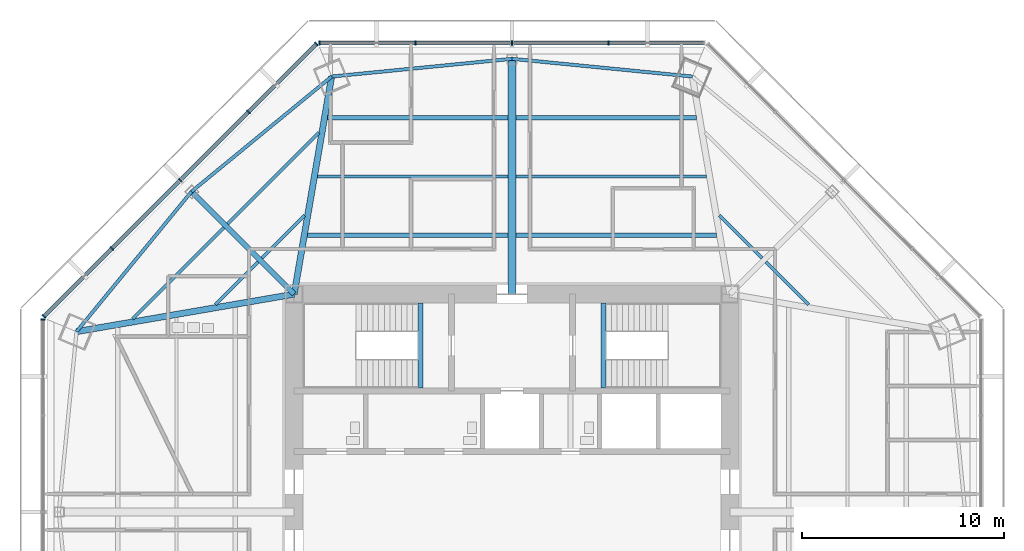
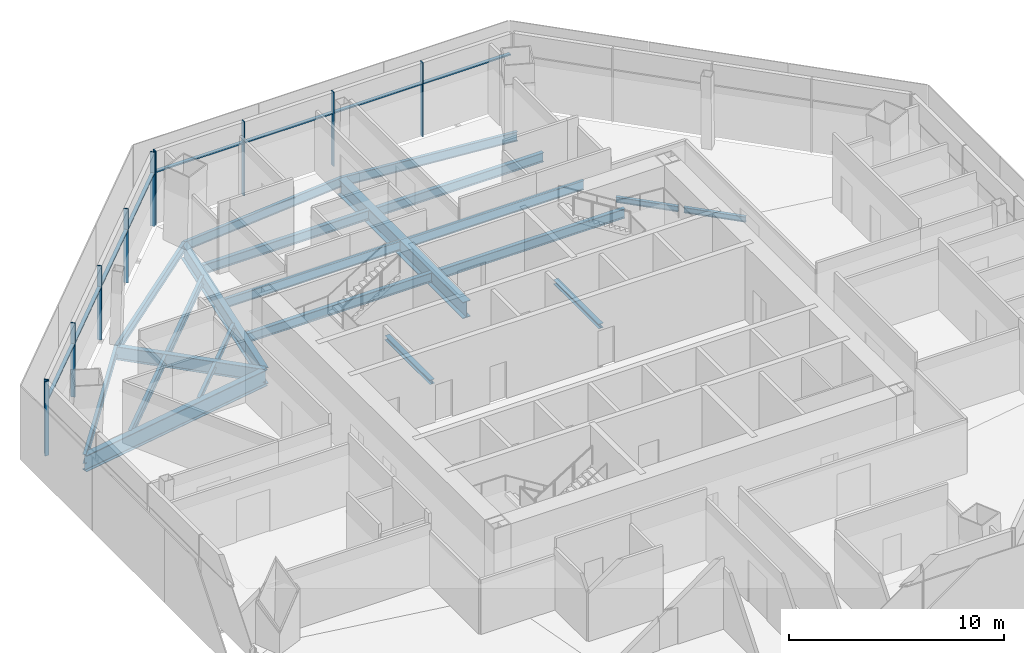
# One storey, part 5 of 15: 22 beams, 18 members, 3 elements without a shape of their own.
"""IFC4 building model written with IfcOpenShell, lengths in metres."""

from ifc_helpers import new_model, si_unit, direction, frame, origin, origin_2d, place, context, subcontext, project, spatial, rectangle, i_section, extrude, source, transform, mapped, material, material_profile, profile_set, type_object, type_shapes, element, aggregate, save


model = new_model("IFC4")

# Units and contexts
model_context = context("Model", 3, precision=1e-05, world=origin(), true_north=direction((0.0, 1.0)))
body_context = subcontext(model_context, "Body", "Model", "MODEL_VIEW")
ifc_project = project(units=[si_unit("LENGTHUNIT", "METRE"), si_unit("AREAUNIT", "SQUARE_METRE"), si_unit("VOLUMEUNIT", "CUBIC_METRE"), si_unit("PLANEANGLEUNIT", "RADIAN"), si_unit("MASSUNIT", "GRAM", prefix="KILO")], contexts=[model_context])

# Site, building, storey
site_placement = place(None, origin())
site = spatial("IfcSite", under=ifc_project, at=site_placement, CompositionType="ELEMENT")
building_placement = place(site_placement, origin())
building = spatial("IfcBuilding", under=site, at=building_placement, Name="Mashrafa Tower", CompositionType="ELEMENT")
storey_placement = place(building_placement, frame((0.0, 0.0, 168.0)))
storey = spatial("IfcBuildingStorey", under=building, at=storey_placement, Name="L38", CompositionType="ELEMENT", Elevation=168.0)

# Beams
ifc_material_1 = material(Name="Steel ASTM A992", Category="steel")
ifc_material_profile_1 = material_profile(ifc_material_1, i_section(OverallWidth=0.164794921875, OverallDepth=0.309814453125, WebThickness=0.005859375, FlangeThickness=0.009765625, FilletRadius=0.007568359375, at=origin_2d()), Name="W12X26")
ifc_profile_set_1 = profile_set([ifc_material_profile_1], Name="Steel ASTM A992")
beam_type_1 = type_object("IfcBeamType", Name="Beam W12X26", PredefinedType="BEAM", material=ifc_profile_set_1)
for number, where, z_axis, x_axis, name in (
    (1, (-14.7080078125, 10.283203125, -0.31982421875), (0.707147533097, 0.707066026927, 0.0), (-0.707066026927, 0.707147533097, 0.0), "Floor beam L38 006"),
    (2, (-12.401123046875, 12.58984375, -0.31982421875), (0.707066026927, 0.707147533097, 0.0), (-0.707147533097, 0.707066026927, 0.0), "Floor beam L38 012"),
    (3, (10.283203125, 14.7080078125, -0.31982421875), (0.707066026927, -0.707147533097, 0.0), (0.707147533097, 0.707066026927, 0.0), "Floor beam L38 027"),
    (4, (12.58984375, 12.401123046875, -0.31982421875), (0.707147533097, -0.707066026927, 0.0), (0.707066026927, 0.707147533097, 0.0), "Floor beam L38 030"),
):
    element("IfcBeam", number, at=place(storey_placement, frame(where, z_axis=z_axis, x_axis=x_axis)), inside=storey, type_object=beam_type_1, Name=name, PredefinedType="BEAM", context=body_context, shape_type="SweptSolid", body=[
        extrude(i_section(OverallWidth=0.164794921875, OverallDepth=0.309814453125, WebThickness=0.005859375, FlangeThickness=0.009765625, FilletRadius=0.007568359375, at=origin_2d()), origin(), (0.0, 0.0, 1.0), 2.995361328125),
    ])
ifc_material_2 = material(Name="Steel ASTM A992", Category="steel")
ifc_material_profile_2 = material_profile(ifc_material_2, i_section(OverallWidth=0.1650390625, OverallDepth=0.52587890625, WebThickness=0.0087890625, FlangeThickness=0.011474609375, FilletRadius=0.0126953125, at=origin_2d()), Name="W21X44")
ifc_profile_set_2 = profile_set([ifc_material_profile_2], Name="Steel ASTM A992")
beam_type_2 = type_object("IfcBeamType", Name="Beam W21X44", PredefinedType="BEAM", material=ifc_profile_set_2)
for number, where, z_axis, x_axis, name in (
    (5, (-18.80419921875, 9.57763671875, -0.427978515625), (0.707087679743, 0.707125882114, 0.0), (-0.707125882114, 0.707087679743, 0.0), "Floor beam L38 003"),
    (6, (-14.0966796875, 14.285400390625, -0.427978515625), (0.707125882114, 0.707087679743, 0.0), (-0.707087679743, 0.707125882114, 0.0), "Floor beam L38 008"),
):
    element("IfcBeam", number, at=place(storey_placement, frame(where, z_axis=z_axis, x_axis=x_axis)), inside=storey, type_object=beam_type_2, Name=name, PredefinedType="BEAM", context=body_context, shape_type="SweptSolid", body=[
        extrude(i_section(OverallWidth=0.1650390625, OverallDepth=0.52587890625, WebThickness=0.0087890625, FlangeThickness=0.011474609375, FilletRadius=0.0126953125, at=origin_2d()), origin(), (0.0, 0.0, 1.0), 6.390625),
    ])
for number, where, z_axis, x_axis, name in (
    (7, (-9.6396484375, 16.63330078125, -0.427978515625), (1.0, 0.0, 0.0), (0.0, 1.0, 0.0), "Floor beam L38 015"),
    (8, (0.20947265625, 16.63330078125, -0.427978515625), (1.0, 0.0, 0.0), (0.0, 1.0, 0.0), "Floor beam L38 022"),
):
    element("IfcBeam", number, at=place(storey_placement, frame(where, z_axis=z_axis, x_axis=x_axis)), inside=storey, type_object=beam_type_2, Name=name, PredefinedType="BEAM", context=body_context, shape_type="SweptSolid", body=[
        extrude(i_section(OverallWidth=0.1650390625, OverallDepth=0.52587890625, WebThickness=0.0087890625, FlangeThickness=0.011474609375, FilletRadius=0.0126953125, at=origin_2d()), origin(), (0.0, 0.0, 1.0), 9.43017578125),
    ])
for number, where, z_axis, x_axis, name in (
    (9, (-15.886474609375, 15.886474609375, -0.427978515625), (-0.634611360112, -0.772831431566, 0.0), (0.772831431566, -0.634611360112, 0.0), "Spandrel beam L38 061"),
    (10, (-8.9423828125, 21.588623046875, -0.427978515625), (-0.772831431566, -0.634611360112, 0.0), (0.634611360112, -0.772831431566, 0.0), "Spandrel beam L38 063"),
    (11, (0.0, 22.466796875, -0.427978515625), (-0.995212629528, -0.097733423294, 0.0), (0.097733423294, -0.995212629528, 0.0), "Spandrel beam L38 065"),
    (12, (8.9423828125, 21.588623046875, -0.427978515625), (-0.995212629528, 0.097733423294, 0.0), (-0.097733423294, -0.995212629528, 0.0), "Spandrel beam L38 067"),
):
    element("IfcBeam", number, at=place(storey_placement, frame(where, z_axis=z_axis, x_axis=x_axis)), inside=storey, type_object=beam_type_2, Name=name, PredefinedType="BEAM", context=body_context, shape_type="SweptSolid", body=[
        extrude(i_section(OverallWidth=0.1650390625, OverallDepth=0.52587890625, WebThickness=0.0087890625, FlangeThickness=0.011474609375, FilletRadius=0.0126953125, at=origin_2d()), origin(), (0.0, 0.0, 1.0), 8.9853515625),
    ])
ifc_material_3 = material(Name="Steel ASTM A992", Category="steel")
ifc_material_profile_3 = material_profile(ifc_material_3, i_section(OverallWidth=0.209228515625, OverallDepth=0.533447265625, WebThickness=0.01025390625, FlangeThickness=0.015625, FilletRadius=0.012939453125, at=origin_2d()), Name="W21X62")
ifc_profile_set_3 = profile_set([ifc_material_profile_3], Name="Steel ASTM A992")
beam_type_3 = type_object("IfcBeamType", Name="Beam W21X62", PredefinedType="BEAM", material=ifc_profile_set_3)
beam_1_placement = place(storey_placement, frame((-10.141845703125, 13.716796875, -0.431640625), z_axis=(1.0, 0.0, 0.0), x_axis=(0.0, 1.0, 0.0)))
element("IfcBeam", 13, at=beam_1_placement, inside=storey, type_object=beam_type_3, Name="Floor beam L38 013", PredefinedType="BEAM", context=body_context, shape_type="SweptSolid", body=[
    extrude(i_section(OverallWidth=0.209228515625, OverallDepth=0.533447265625, WebThickness=0.01025390625, FlangeThickness=0.015625, FilletRadius=0.012939453125, at=origin_2d()), origin(), (0.0, 0.0, 1.0), 9.932373046875),
])
beam_2_placement = place(storey_placement, frame((-9.137451171875, 19.55029296875, -0.431640625), z_axis=(1.0, 0.0, 0.0), x_axis=(0.0, 1.0, 0.0)))
element("IfcBeam", 14, at=beam_2_placement, inside=storey, type_object=beam_type_3, Name="Floor beam L38 017", PredefinedType="BEAM", context=body_context, shape_type="SweptSolid", body=[
    extrude(i_section(OverallWidth=0.209228515625, OverallDepth=0.533447265625, WebThickness=0.01025390625, FlangeThickness=0.015625, FilletRadius=0.012939453125, at=origin_2d()), origin(), (0.0, 0.0, 1.0), 8.927978515625),
])
beam_3_placement = place(storey_placement, frame((0.20947265625, 13.716796875, -0.431640625), z_axis=(1.0, 0.0, 0.0), x_axis=(0.0, 1.0, 0.0)))
element("IfcBeam", 15, at=beam_3_placement, inside=storey, type_object=beam_type_3, Name="Floor beam L38 021", PredefinedType="BEAM", context=body_context, shape_type="SweptSolid", body=[
    extrude(i_section(OverallWidth=0.209228515625, OverallDepth=0.533447265625, WebThickness=0.01025390625, FlangeThickness=0.015625, FilletRadius=0.012939453125, at=origin_2d()), origin(), (0.0, 0.0, 1.0), 9.932373046875),
])
beam_4_placement = place(storey_placement, frame((0.20947265625, 19.55029296875, -0.431640625), z_axis=(1.0, 0.0, 0.0), x_axis=(0.0, 1.0, 0.0)))
element("IfcBeam", 16, at=beam_4_placement, inside=storey, type_object=beam_type_3, Name="Floor beam L38 023", PredefinedType="BEAM", context=body_context, shape_type="SweptSolid", body=[
    extrude(i_section(OverallWidth=0.209228515625, OverallDepth=0.533447265625, WebThickness=0.01025390625, FlangeThickness=0.015625, FilletRadius=0.012939453125, at=origin_2d()), origin(), (0.0, 0.0, 1.0), 8.927978515625),
])
ifc_material_4 = material(Name="Steel ASTM A992", Category="steel")
ifc_material_profile_4 = material_profile(ifc_material_4, i_section(OverallWidth=0.2666015625, OverallDepth=0.75439453125, WebThickness=0.01318359375, FlangeThickness=0.01708984375, FilletRadius=0.0166015625, at=origin_2d()), Name="W30X99")
ifc_profile_set_4 = profile_set([ifc_material_profile_4], Name="Steel ASTM A992")
beam_type_4 = type_object("IfcBeamType", Name="Beam W30X99", PredefinedType="BEAM", material=ifc_profile_set_4)
beam_5_placement = place(storey_placement, frame((-10.800048828125, 10.800048828125, -0.542236328125), z_axis=(-0.707106781187, 0.707106781187, 0.0), x_axis=(-0.707106781187, -0.707106781187, 0.0)))
element("IfcBeam", 17, at=beam_5_placement, inside=storey, type_object=beam_type_4, Name="Radial girder L38 046", PredefinedType="BEAM", context=body_context, shape_type="SweptSolid", body=[
    extrude(i_section(OverallWidth=0.2666015625, OverallDepth=0.75439453125, WebThickness=0.01318359375, FlangeThickness=0.01708984375, FilletRadius=0.0166015625, at=origin_2d()), origin(), (0.0, 0.0, 1.0), 7.193359375),
])
ifc_material_5 = material(Name="Steel ASTM A992", Category="steel")
ifc_material_profile_5 = material_profile(ifc_material_5, i_section(OverallWidth=0.307373046875, OverallDepth=0.927001953125, WebThickness=0.01953125, FlangeThickness=0.031982421875, FilletRadius=0.01904296875, at=origin_2d()), Name="W36X194")
ifc_profile_set_5 = profile_set([ifc_material_profile_5], Name="Steel ASTM A992")
beam_type_5 = type_object("IfcBeamType", Name="Beam W36X194", PredefinedType="BEAM", material=ifc_profile_set_5)
for number, where, z_axis, x_axis, name in (
    (18, (-10.800048828125, 10.800048828125, -0.628662109375), (-0.985497303971, -0.169691083637, 0.0), (0.169691083637, -0.985497303971, 0.0), "Radial girder L38 045"),
    (19, (-10.800048828125, 10.800048828125, -0.628662109375), (0.169691083637, 0.985497303971, 0.0), (-0.985497303971, 0.169691083637, 0.0), "Radial girder L38 047"),
):
    element("IfcBeam", number, at=place(storey_placement, frame(where, z_axis=z_axis, x_axis=x_axis)), inside=storey, type_object=beam_type_5, Name=name, PredefinedType="BEAM", context=body_context, shape_type="SweptSolid", body=[
        extrude(i_section(OverallWidth=0.307373046875, OverallDepth=0.927001953125, WebThickness=0.01953125, FlangeThickness=0.031982421875, FilletRadius=0.01904296875, at=origin_2d()), origin(), (0.0, 0.0, 1.0), 10.947265625),
    ])
ifc_material_6 = material(Name="Steel ASTM A992", Category="steel")
ifc_material_profile_6 = material_profile(ifc_material_6, i_section(OverallWidth=0.419189453125, OverallDepth=0.927001953125, WebThickness=0.019287109375, FlangeThickness=0.031982421875, FilletRadius=0.020263671875, at=origin_2d()), Name="W36X231")
ifc_profile_set_6 = profile_set([ifc_material_profile_6], Name="Steel ASTM A992")
beam_type_6 = type_object("IfcBeamType", Name="Beam W36X231", PredefinedType="BEAM", material=ifc_profile_set_6)
beam_6_placement = place(storey_placement, frame((0.0, 10.800048828125, -0.628662109375), z_axis=(0.0, 1.0, 0.0), x_axis=(-1.0, 0.0, 0.0)))
element("IfcBeam", 20, at=beam_6_placement, inside=storey, type_object=beam_type_6, Name="Radial girder L38 049", PredefinedType="BEAM", context=body_context, shape_type="SweptSolid", body=[
    extrude(i_section(OverallWidth=0.419189453125, OverallDepth=0.927001953125, WebThickness=0.019287109375, FlangeThickness=0.031982421875, FilletRadius=0.020263671875, at=origin_2d()), origin(), (0.0, 0.0, 1.0), 11.666748046875),
])
ifc_material_7 = material(Name="Steel ASTM A992", Category="steel")
ifc_material_profile_7 = material_profile(ifc_material_7, i_section(OverallWidth=0.25390625, OverallDepth=0.25390625, WebThickness=0.008544921875, FlangeThickness=0.01416015625, FilletRadius=0.010009765625, at=origin_2d()), Name="W10X49")
ifc_profile_set_7 = profile_set([ifc_material_profile_7], Name="Steel ASTM A992")
beam_type_7 = type_object("IfcBeamType", Name="Hoistway beam W10X49", PredefinedType="BEAM", material=ifc_profile_set_7)
for number, where, z_axis, x_axis, name in (
    (21, (-4.530029296875, 6.14990234375, -0.326904296875), (0.0, 1.0, 0.0), (-1.0, 0.0, 0.0), "Stair S1 landing beam L38"),
    (22, (4.530029296875, 6.14990234375, -0.326904296875), (0.0, 1.0, 0.0), (-1.0, 0.0, 0.0), "Stair S2 landing beam L38"),
):
    element("IfcBeam", number, at=place(storey_placement, frame(where, z_axis=z_axis, x_axis=x_axis)), inside=storey, type_object=beam_type_7, Name=name, PredefinedType="BEAM", context=body_context, shape_type="SweptSolid", body=[
        extrude(i_section(OverallWidth=0.25390625, OverallDepth=0.25390625, WebThickness=0.008544921875, FlangeThickness=0.01416015625, FilletRadius=0.010009765625, at=origin_2d()), origin(), (0.0, 0.0, 1.0), 4.2001953125),
    ])

# Curtain wall, members
ifc_material_8 = material(Name="Unitised aluminium curtain wall", Category="aluminium")
curtain_wall_type = type_object("IfcCurtainWallType", Name="Office curtain wall, zone 2 CW-B 225 deep", PredefinedType="NOTDEFINED", material=ifc_material_8)
curtain_wall_1_placement = place(storey_placement, origin())
curtain_wall_1 = element("IfcCurtainWall", 23, at=curtain_wall_1_placement, inside=storey, type_object=curtain_wall_type, Name="Office curtain wall, zone 2 L38 north", PredefinedType="NOTDEFINED")
ifc_material_9 = material(Name="Extruded aluminium mullion", Category="aluminium")
ifc_material_profile_8 = material_profile(ifc_material_9, rectangle(XDim=0.22509765625, YDim=0.06494140625, at=origin_2d()), Name="Mullion 65x225")
ifc_profile_set_8 = profile_set([ifc_material_profile_8], Name="Extruded aluminium mullion")
member_type_1 = type_object("IfcMemberType", Name="Mullion CW-B 65 x 225", PredefinedType="MULLION", material=ifc_profile_set_8)
shared_shape_1 = source(origin(), body_context, "Body", "SweptSolid", [
    extrude(rectangle(XDim=0.22509765625, YDim=0.06494140625, at=origin_2d()), origin(), (0.0, 0.0, 1.0), 4.199951171875),
])
type_shapes(member_type_1, [shared_shape_1])
member_1_placement = place(storey_placement, frame((4.78955078125, 23.26220703125, 0.0), z_axis=(0.0, 0.0, 1.0), x_axis=(0.0, -1.0, 0.0)))
member_1 = element("IfcMember", 24, at=member_1_placement, type_object=member_type_1, Name="CW-B mullion 2", PredefinedType="MULLION", context=body_context, shape_type="MappedRepresentation", body=[
    mapped(shared_shape_1, transform((0.0, 0.0, 0.0))),
])
member_2_placement = place(storey_placement, frame((0.0, 23.26220703125, 0.0), z_axis=(0.0, 0.0, 1.0), x_axis=(0.0, -1.0, 0.0)))
member_2 = element("IfcMember", 25, at=member_2_placement, type_object=member_type_1, Name="CW-B mullion 3", PredefinedType="MULLION", context=body_context, shape_type="MappedRepresentation", body=[
    mapped(shared_shape_1, transform((0.0, 0.0, 0.0))),
])
member_3_placement = place(storey_placement, frame((-4.78955078125, 23.26220703125, 0.0), z_axis=(0.0, 0.0, 1.0), x_axis=(0.0, -1.0, 0.0)))
member_3 = element("IfcMember", 26, at=member_3_placement, type_object=member_type_1, Name="CW-B mullion 4", PredefinedType="MULLION", context=body_context, shape_type="MappedRepresentation", body=[
    mapped(shared_shape_1, transform((0.0, 0.0, 0.0))),
])
member_4_placement = place(storey_placement, frame((-9.54638671875, 23.26220703125, 0.0), z_axis=(0.0, 0.0, 1.0), x_axis=(0.0, -1.0, 0.0)))
member_4 = element("IfcMember", 27, at=member_4_placement, type_object=member_type_1, Name="CW-B mullion 5", PredefinedType="MULLION", context=body_context, shape_type="MappedRepresentation", body=[
    mapped(shared_shape_1, transform((0.0, 0.0, 0.0))),
])

curtain_wall_2_placement = place(storey_placement, origin())
curtain_wall_2 = element("IfcCurtainWall", 28, at=curtain_wall_2_placement, inside=storey, type_object=curtain_wall_type, Name="Office curtain wall, zone 2 L38 north-west", PredefinedType="NOTDEFINED")
member_5_placement = place(storey_placement, frame((-9.698486328125, 23.19921875, 0.0), z_axis=(0.0, 0.0, 1.0), x_axis=(0.707106781187, -0.707106781187, 0.0)))
member_5 = element("IfcMember", 29, at=member_5_placement, type_object=member_type_1, Name="CW-B mullion 1", PredefinedType="MULLION", context=body_context, shape_type="MappedRepresentation", body=[
    mapped(shared_shape_1, transform((0.0, 0.0, 0.0))),
])
member_6_placement = place(storey_placement, frame((-13.062255859375, 19.83544921875, 0.0), z_axis=(0.0, 0.0, 1.0), x_axis=(0.707106781187, -0.707106781187, 0.0)))
member_6 = element("IfcMember", 30, at=member_6_placement, type_object=member_type_1, Name="CW-B mullion 2", PredefinedType="MULLION", context=body_context, shape_type="MappedRepresentation", body=[
    mapped(shared_shape_1, transform((0.0, 0.0, 0.0))),
])
member_7_placement = place(storey_placement, frame((-16.448974609375, 16.448974609375, 0.0), z_axis=(0.0, 0.0, 1.0), x_axis=(0.707106781187, -0.707106781187, 0.0)))
member_7 = element("IfcMember", 31, at=member_7_placement, type_object=member_type_1, Name="CW-B mullion 3", PredefinedType="MULLION", context=body_context, shape_type="MappedRepresentation", body=[
    mapped(shared_shape_1, transform((0.0, 0.0, 0.0))),
])
member_8_placement = place(storey_placement, frame((-19.83544921875, 13.062255859375, 0.0), z_axis=(0.0, 0.0, 1.0), x_axis=(0.707106781187, -0.707106781187, 0.0)))
member_8 = element("IfcMember", 32, at=member_8_placement, type_object=member_type_1, Name="CW-B mullion 4", PredefinedType="MULLION", context=body_context, shape_type="MappedRepresentation", body=[
    mapped(shared_shape_1, transform((0.0, 0.0, 0.0))),
])
member_9_placement = place(storey_placement, frame((-23.19921875, 9.698486328125, 0.0), z_axis=(0.0, 0.0, 1.0), x_axis=(0.707106781187, -0.707106781187, 0.0)))
member_9 = element("IfcMember", 33, at=member_9_placement, type_object=member_type_1, Name="CW-B mullion 5", PredefinedType="MULLION", context=body_context, shape_type="MappedRepresentation", body=[
    mapped(shared_shape_1, transform((0.0, 0.0, 0.0))),
])

# Curtain wall, member
curtain_wall_3_placement = place(storey_placement, origin())
curtain_wall_3 = element("IfcCurtainWall", 34, at=curtain_wall_3_placement, inside=storey, type_object=curtain_wall_type, Name="Office curtain wall, zone 2 L38 west", PredefinedType="NOTDEFINED")
member_10_placement = place(storey_placement, frame((-23.26220703125, 9.54638671875, 0.0), z_axis=(0.0, 0.0, 1.0), x_axis=(1.0, 0.0, 0.0)))
member_10 = element("IfcMember", 35, at=member_10_placement, type_object=member_type_1, Name="CW-B mullion 1", PredefinedType="MULLION", context=body_context, shape_type="MappedRepresentation", body=[
    mapped(shared_shape_1, transform((0.0, 0.0, 0.0))),
])
aggregate(curtain_wall_3, [member_10])

# Member
ifc_material_10 = material(Name="Extruded aluminium transom", Category="aluminium")
ifc_material_profile_9 = material_profile(ifc_material_10, rectangle(XDim=0.179931640625, YDim=0.080078125, at=origin_2d()), Name="Transom 80x180")
ifc_profile_set_9 = profile_set([ifc_material_profile_9], Name="Extruded aluminium transom")
member_type_2 = type_object("IfcMemberType", Name="Transom CW-B 80 x 180", PredefinedType="MULLION", material=ifc_profile_set_9)
shared_shape_2 = source(origin(), body_context, "Body", "SweptSolid", [
    extrude(rectangle(XDim=0.179931640625, YDim=0.080078125, at=origin_2d()), origin(), (0.0, 0.0, 1.0), 4.69189453125),
])
member_11_placement = place(storey_placement, frame((9.513916015625, 23.26220703125, 3.0), z_axis=(-1.0, 0.0, 0.0), x_axis=(0.0, -1.0, 0.0)))
member_11 = element("IfcMember", 36, at=member_11_placement, type_object=member_type_2, Name="CW-B transom 1", PredefinedType="MULLION", context=body_context, shape_type="MappedRepresentation", body=[
    mapped(shared_shape_2, transform((0.0, 0.0, 0.0))),
])

member_12_placement = place(storey_placement, frame((-4.822021484375, 23.26220703125, 3.0), z_axis=(-1.0, 0.0, 0.0), x_axis=(0.0, -1.0, 0.0)))
member_12 = element("IfcMember", 37, at=member_12_placement, type_object=member_type_2, Name="CW-B transom 4", PredefinedType="MULLION", context=body_context, shape_type="MappedRepresentation", body=[
    mapped(shared_shape_2, transform((0.0, 0.0, 0.0))),
])

member_13_placement = place(storey_placement, frame((-9.721435546875, 23.17626953125, 3.0), z_axis=(-0.707132797367, -0.707080764049, 0.0), x_axis=(0.707080764049, -0.707132797367, 0.0)))
member_13 = element("IfcMember", 38, at=member_13_placement, type_object=member_type_2, Name="CW-B transom 1", PredefinedType="MULLION", context=body_context, shape_type="MappedRepresentation", body=[
    mapped(shared_shape_2, transform((0.0, 0.0, 0.0))),
])

member_14_placement = place(storey_placement, frame((-19.858642578125, 13.039306640625, 3.0), z_axis=(-0.707080764049, -0.707132797367, 0.0), x_axis=(0.707132797367, -0.707080764049, 0.0)))
member_14 = element("IfcMember", 39, at=member_14_placement, type_object=member_type_2, Name="CW-B transom 4", PredefinedType="MULLION", context=body_context, shape_type="MappedRepresentation", body=[
    mapped(shared_shape_2, transform((0.0, 0.0, 0.0))),
])

shared_shape_3 = source(origin(), body_context, "Body", "SweptSolid", [
    extrude(rectangle(XDim=0.179931640625, YDim=0.080078125, at=origin_2d()), origin(), (0.0, 0.0, 1.0), 4.724609375),
])
member_15_placement = place(storey_placement, frame((4.757080078125, 23.26220703125, 3.0), z_axis=(-1.0, 0.0, 0.0), x_axis=(0.0, -1.0, 0.0)))
member_15 = element("IfcMember", 40, at=member_15_placement, type_object=member_type_2, Name="CW-B transom 2", PredefinedType="MULLION", context=body_context, shape_type="MappedRepresentation", body=[
    mapped(shared_shape_3, transform((0.0, 0.0, 0.0))),
])

member_16_placement = place(storey_placement, frame((-0.032470703125, 23.26220703125, 3.0), z_axis=(-1.0, 0.0, 0.0), x_axis=(0.0, -1.0, 0.0)))
member_16 = element("IfcMember", 41, at=member_16_placement, type_object=member_type_2, Name="CW-B transom 3", PredefinedType="MULLION", context=body_context, shape_type="MappedRepresentation", body=[
    mapped(shared_shape_3, transform((0.0, 0.0, 0.0))),
])

aggregate(curtain_wall_1, [member_1, member_2, member_3, member_4, member_11, member_15, member_16, member_12])

shared_shape_4 = source(origin(), body_context, "Body", "SweptSolid", [
    extrude(rectangle(XDim=0.179931640625, YDim=0.080078125, at=origin_2d()), origin(), (0.0, 0.0, 1.0), 4.724365234375),
])
type_shapes(member_type_2, [shared_shape_2, shared_shape_3, shared_shape_4])
member_17_placement = place(storey_placement, frame((-13.085205078125, 19.8125, 3.0), z_axis=(-0.70713261865, -0.707080942779, 0.0), x_axis=(0.707080942779, -0.70713261865, 0.0)))
member_17 = element("IfcMember", 42, at=member_17_placement, type_object=member_type_2, Name="CW-B transom 2", PredefinedType="MULLION", context=body_context, shape_type="MappedRepresentation", body=[
    mapped(shared_shape_4, transform((0.0, 0.0, 0.0))),
])

member_18_placement = place(storey_placement, frame((-16.471923828125, 16.426025390625, 3.0), z_axis=(-0.707080942779, -0.70713261865, 0.0), x_axis=(0.70713261865, -0.707080942779, 0.0)))
member_18 = element("IfcMember", 43, at=member_18_placement, type_object=member_type_2, Name="CW-B transom 3", PredefinedType="MULLION", context=body_context, shape_type="MappedRepresentation", body=[
    mapped(shared_shape_4, transform((0.0, 0.0, 0.0))),
])

aggregate(curtain_wall_2, [member_5, member_6, member_7, member_8, member_9, member_13, member_17, member_18, member_14])

save(model, "model.ifc")
